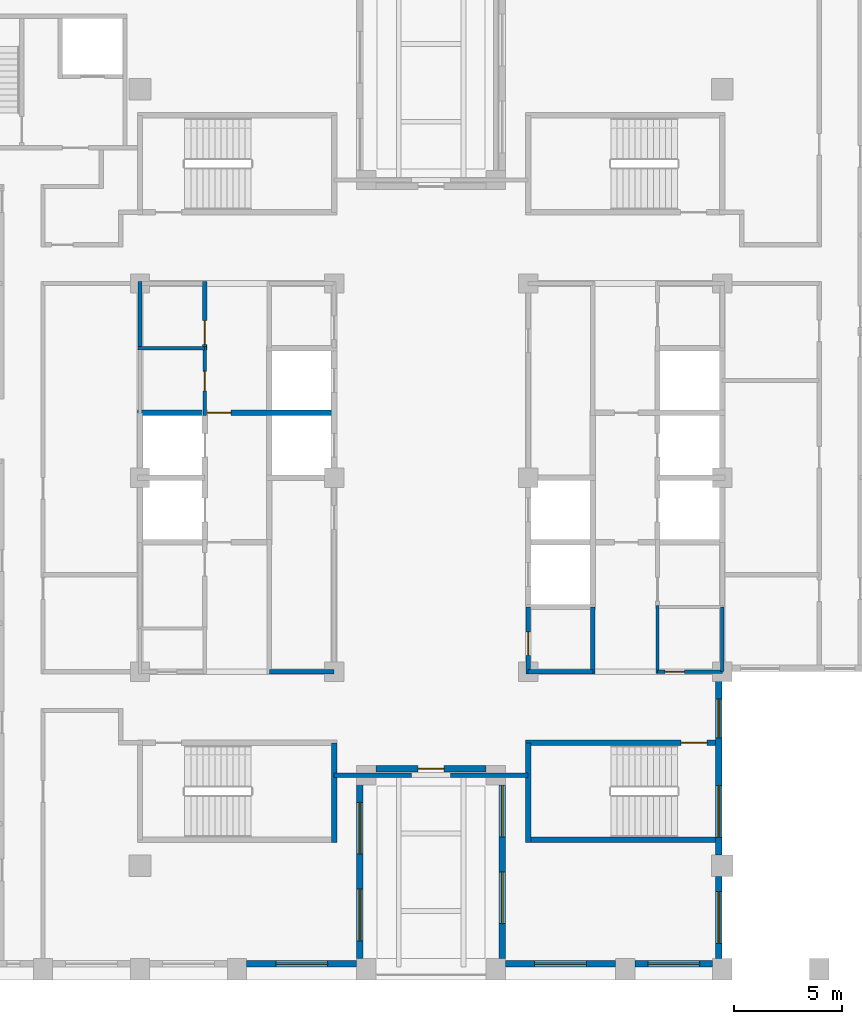
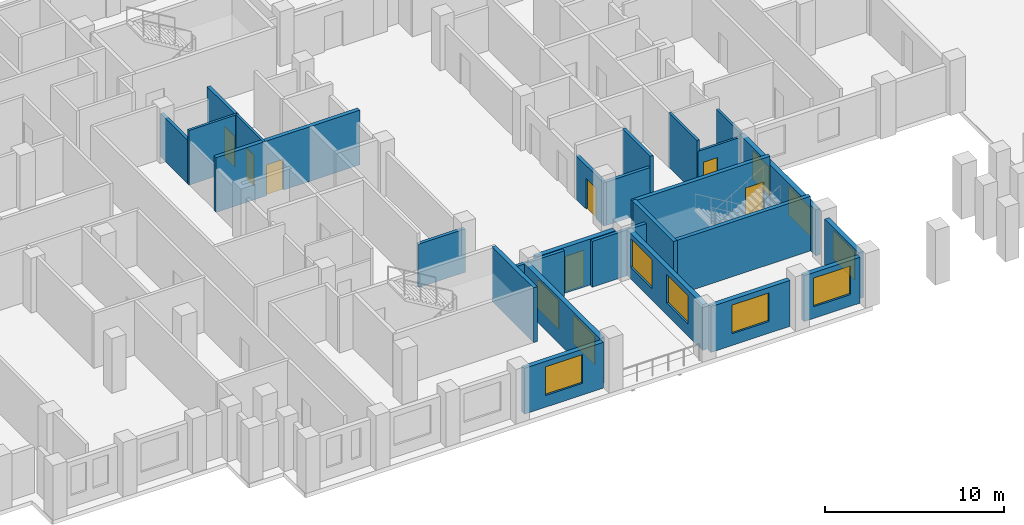
# One storey, part 4 of 12: 26 walls, 10 windows, 7 doors, 17 openings.
"""IFC4 building model written with IfcOpenShell, lengths in metres."""

from ifc_helpers import new_model, si_unit, direction, frame, frame_2d, origin, place, context, subcontext, project, spatial, rectangle, extrude, material, layer, layer_set, type_object, element, fill, save


model = new_model("IFC4")

# Units and contexts
model_context = context("Model", 3, precision=1e-05, world=origin(), true_north=direction((0.0, 1.0)))
body_context = subcontext(model_context, "Body", "Model", "MODEL_VIEW")
ifc_project = project(units=[si_unit("LENGTHUNIT", "METRE"), si_unit("AREAUNIT", "SQUARE_METRE"), si_unit("VOLUMEUNIT", "CUBIC_METRE"), si_unit("PLANEANGLEUNIT", "RADIAN"), si_unit("MASSUNIT", "GRAM", prefix="KILO")], contexts=[model_context])

# Site, building, storey
site_placement = place(None, origin())
site = spatial("IfcSite", under=ifc_project, at=site_placement, CompositionType="ELEMENT")
building_placement = place(site_placement, origin())
building = spatial("IfcBuilding", under=site, at=building_placement, Name="Corbelhall Arena Tower", CompositionType="ELEMENT")
storey_placement = place(building_placement, frame((0.0, 0.0, 184.0)))
storey = spatial("IfcBuildingStorey", under=building, at=storey_placement, Name="L37", CompositionType="ELEMENT", Elevation=184.0)

# Wall, opening, window
ifc_material_1 = material(Name="Precast concrete C40/50 with granite facing", Category="masonry")
ifc_layer_1 = layer(ifc_material_1, 0.300048828125)
ifc_layer_set_1 = layer_set([ifc_layer_1], Name="EV-IW1 Infill panel 300")
wall_type_1 = type_object("IfcWallType", Name="EV-IW1 Infill panel 300", PredefinedType="SOLIDWALL", material=ifc_layer_set_1)
wall_1_placement = place(storey_placement, frame((-8.550048828125, -22.550048828125, 0.0), z_axis=(0.0, 0.0, 1.0), x_axis=(1.0, 0.0, 0.0)))
wall_1 = element("IfcWall", 1, at=wall_1_placement, inside=storey, type_object=wall_type_1, Name="Infill panel IW1", PredefinedType="SOLIDWALL", context=body_context, shape_type="SweptSolid", body=[
    extrude(rectangle(XDim=5.10009765625, YDim=0.300048828125, at=frame_2d((2.550048828125, 0.0))), origin(), (0.0, 0.0, 1.0), 3.1201171875),
])
opening_1_placement = place(wall_1_placement, frame((1.35009765625, 0.0, 0.800048828125)))
opening_1 = element("IfcOpeningElement", 2, at=opening_1_placement, cuts=wall_1, Name="Opening WN1", PredefinedType="OPENING", context=body_context, shape_type="SweptSolid", body=[
    extrude(rectangle(XDim=2.39990234375, YDim=1.949951171875, at=frame_2d((1.199951171875, 0.97509765625))), frame((0.0, 0.14990234375, 0.0), z_axis=(0.0, -1.0, 0.0), x_axis=(1.0, 0.0, 0.0)), (0.0, 0.0, 1.0), 0.300048828125),
])
ifc_material_2 = material(Name="Aluminium black anodised", Category="aluminium")
window_type_1 = type_object("IfcWindowType", Name="EV-WN1 Office window", PartitioningType="SINGLE_PANEL", PredefinedType="WINDOW", material=ifc_material_2)
window_1_placement = place(opening_1_placement, origin())
window_1 = element("IfcWindow", 3, at=window_1_placement, inside=storey, type_object=window_type_1, Name="Window WN1", OverallHeight=1.949951171875, OverallWidth=2.39990234375, PartitioningType="SINGLE_PANEL", PredefinedType="WINDOW", context=body_context, shape_type="SweptSolid", body=[
    extrude(rectangle(XDim=2.39990234375, YDim=1.949951171875, at=frame_2d((1.199951171875, 0.97509765625))), frame((0.0, 0.030029296875, 0.0), z_axis=(0.0, -1.0, 0.0), x_axis=(1.0, 0.0, 0.0)), (0.0, 0.0, 1.0), 0.06005859375),
])
fill(opening_1, window_1)

# Wall, openings, windows
wall_2_placement = place(storey_placement, frame((-3.300048828125, -22.300048828125, 0.0), z_axis=(0.0, 0.0, 1.0), x_axis=(0.0, 1.0, 0.0)))
wall_2 = element("IfcWall", 4, at=wall_2_placement, inside=storey, type_object=wall_type_1, Name="Infill panel IW1", PredefinedType="SOLIDWALL", context=body_context, shape_type="SweptSolid", body=[
    extrude(rectangle(XDim=8.449951171875, YDim=0.300048828125, at=frame_2d((4.22509765625, 0.0))), origin(), (0.0, 0.0, 1.0), 3.1201171875),
])
opening_2_placement = place(wall_2_placement, frame((0.8125, 0.0, 0.800048828125)))
opening_2 = element("IfcOpeningElement", 5, at=opening_2_placement, cuts=wall_2, Name="Opening WN1", PredefinedType="OPENING", context=body_context, shape_type="SweptSolid", body=[
    extrude(rectangle(XDim=2.39990234375, YDim=1.949951171875, at=frame_2d((1.199951171875, 0.97509765625))), frame((0.0, 0.14990234375, 0.0), z_axis=(0.0, -1.0, 0.0), x_axis=(1.0, 0.0, 0.0)), (0.0, 0.0, 1.0), 0.300048828125),
])
opening_3_placement = place(wall_2_placement, frame((4.83740234375, 0.0, 0.800048828125)))
opening_3 = element("IfcOpeningElement", 6, at=opening_3_placement, cuts=wall_2, Name="Opening WN1", PredefinedType="OPENING", context=body_context, shape_type="SweptSolid", body=[
    extrude(rectangle(XDim=2.39990234375, YDim=1.949951171875, at=frame_2d((1.199951171875, 0.97509765625))), frame((0.0, 0.14990234375, 0.0), z_axis=(0.0, -1.0, 0.0), x_axis=(1.0, 0.0, 0.0)), (0.0, 0.0, 1.0), 0.300048828125),
])
window_2_placement = place(opening_2_placement, origin())
window_2 = element("IfcWindow", 7, at=window_2_placement, inside=storey, type_object=window_type_1, Name="Window WN1", OverallHeight=1.949951171875, OverallWidth=2.39990234375, PartitioningType="SINGLE_PANEL", PredefinedType="WINDOW", context=body_context, shape_type="SweptSolid", body=[
    extrude(rectangle(XDim=2.39990234375, YDim=1.949951171875, at=frame_2d((1.199951171875, 0.97509765625))), frame((0.0, 0.030029296875, 0.0), z_axis=(0.0, -1.0, 0.0), x_axis=(1.0, 0.0, 0.0)), (0.0, 0.0, 1.0), 0.06005859375),
])
fill(opening_2, window_2)
window_3_placement = place(opening_3_placement, origin())
window_3 = element("IfcWindow", 8, at=window_3_placement, inside=storey, type_object=window_type_1, Name="Window WN1", OverallHeight=1.949951171875, OverallWidth=2.39990234375, PartitioningType="SINGLE_PANEL", PredefinedType="WINDOW", context=body_context, shape_type="SweptSolid", body=[
    extrude(rectangle(XDim=2.39990234375, YDim=1.949951171875, at=frame_2d((1.199951171875, 0.97509765625))), frame((0.0, 0.030029296875, 0.0), z_axis=(0.0, -1.0, 0.0), x_axis=(1.0, 0.0, 0.0)), (0.0, 0.0, 1.0), 0.06005859375),
])
fill(opening_3, window_3)

# Wall, opening, door
wall_3_placement = place(storey_placement, frame((2.550048828125, -13.5, 0.0), z_axis=(0.0, 0.0, 1.0), x_axis=(-1.0, 0.0, 0.0)))
wall_3 = element("IfcWall", 9, at=wall_3_placement, inside=storey, type_object=wall_type_1, Name="Infill panel IW1", PredefinedType="SOLIDWALL", context=body_context, shape_type="SweptSolid", body=[
    extrude(rectangle(XDim=5.10009765625, YDim=0.300048828125, at=frame_2d((2.550048828125, 0.0))), origin(), (0.0, 0.0, 1.0), 3.1201171875),
])
opening_4_placement = place(wall_3_placement, frame((1.949951171875, 0.0, 0.0)))
opening_4 = element("IfcOpeningElement", 10, at=opening_4_placement, cuts=wall_3, Name="Opening ED1", PredefinedType="OPENING", context=body_context, shape_type="SweptSolid", body=[
    extrude(rectangle(XDim=1.199951171875, YDim=2.39990234375, at=frame_2d((0.60009765625, 1.199951171875))), frame((0.0, 0.14990234375, 0.0), z_axis=(0.0, -1.0, 0.0), x_axis=(1.0, 0.0, 0.0)), (0.0, 0.0, 1.0), 0.300048828125),
])
door_type_1 = type_object("IfcDoorType", Name="EV-ED1 Terrace door", OperationType="SINGLE_SWING_LEFT", PredefinedType="DOOR", material=ifc_material_2)
door_1_placement = place(opening_4_placement, origin())
door_1 = element("IfcDoor", 11, at=door_1_placement, inside=storey, type_object=door_type_1, Name="Terrace door", OperationType="SINGLE_SWING_LEFT", OverallHeight=2.39990234375, OverallWidth=1.199951171875, PredefinedType="DOOR", context=body_context, shape_type="SweptSolid", body=[
    extrude(rectangle(XDim=1.199951171875, YDim=2.39990234375, at=frame_2d((0.60009765625, 1.199951171875))), frame((0.0, 0.02490234375, 0.0), z_axis=(0.0, -1.0, 0.0), x_axis=(1.0, 0.0, 0.0)), (0.0, 0.0, 1.0), 0.050048828125),
])
fill(opening_4, door_1)

# Wall, openings, windows
wall_4_placement = place(storey_placement, frame((3.300048828125, -13.85009765625, 0.0), z_axis=(0.0, 0.0, 1.0), x_axis=(0.0, -1.0, 0.0)))
wall_4 = element("IfcWall", 12, at=wall_4_placement, inside=storey, type_object=wall_type_1, Name="Infill panel IW1", PredefinedType="SOLIDWALL", context=body_context, shape_type="SweptSolid", body=[
    extrude(rectangle(XDim=8.449951171875, YDim=0.300048828125, at=frame_2d((4.22509765625, 0.0))), origin(), (0.0, 0.0, 1.0), 3.1201171875),
])
opening_5_placement = place(wall_4_placement, frame((0.41259765625, 0.0, 0.800048828125)))
opening_5 = element("IfcOpeningElement", 13, at=opening_5_placement, cuts=wall_4, Name="Opening WN1", PredefinedType="OPENING", context=body_context, shape_type="SweptSolid", body=[
    extrude(rectangle(XDim=2.39990234375, YDim=1.949951171875, at=frame_2d((1.199951171875, 0.97509765625))), frame((0.0, 0.14990234375, 0.0), z_axis=(0.0, -1.0, 0.0), x_axis=(1.0, 0.0, 0.0)), (0.0, 0.0, 1.0), 0.300048828125),
])
opening_6_placement = place(wall_4_placement, frame((4.4375, 0.0, 0.800048828125)))
opening_6 = element("IfcOpeningElement", 14, at=opening_6_placement, cuts=wall_4, Name="Opening WN1", PredefinedType="OPENING", context=body_context, shape_type="SweptSolid", body=[
    extrude(rectangle(XDim=2.39990234375, YDim=1.949951171875, at=frame_2d((1.199951171875, 0.97509765625))), frame((0.0, 0.14990234375, 0.0), z_axis=(0.0, -1.0, 0.0), x_axis=(1.0, 0.0, 0.0)), (0.0, 0.0, 1.0), 0.300048828125),
])
window_4_placement = place(opening_5_placement, origin())
window_4 = element("IfcWindow", 15, at=window_4_placement, inside=storey, type_object=window_type_1, Name="Window WN1", OverallHeight=1.949951171875, OverallWidth=2.39990234375, PartitioningType="SINGLE_PANEL", PredefinedType="WINDOW", context=body_context, shape_type="SweptSolid", body=[
    extrude(rectangle(XDim=2.39990234375, YDim=1.949951171875, at=frame_2d((1.199951171875, 0.97509765625))), frame((0.0, 0.030029296875, 0.0), z_axis=(0.0, -1.0, 0.0), x_axis=(1.0, 0.0, 0.0)), (0.0, 0.0, 1.0), 0.06005859375),
])
fill(opening_5, window_4)
window_5_placement = place(opening_6_placement, origin())
window_5 = element("IfcWindow", 16, at=window_5_placement, inside=storey, type_object=window_type_1, Name="Window WN1", OverallHeight=1.949951171875, OverallWidth=2.39990234375, PartitioningType="SINGLE_PANEL", PredefinedType="WINDOW", context=body_context, shape_type="SweptSolid", body=[
    extrude(rectangle(XDim=2.39990234375, YDim=1.949951171875, at=frame_2d((1.199951171875, 0.97509765625))), frame((0.0, 0.030029296875, 0.0), z_axis=(0.0, -1.0, 0.0), x_axis=(1.0, 0.0, 0.0)), (0.0, 0.0, 1.0), 0.06005859375),
])
fill(opening_6, window_5)

# Wall, opening, window
wall_5_placement = place(storey_placement, frame((3.449951171875, -22.550048828125, 0.0), z_axis=(0.0, 0.0, 1.0), x_axis=(1.0, 0.0, 0.0)))
wall_5 = element("IfcWall", 17, at=wall_5_placement, inside=storey, type_object=wall_type_1, Name="Infill panel IW1", PredefinedType="SOLIDWALL", context=body_context, shape_type="SweptSolid", body=[
    extrude(rectangle(XDim=5.10009765625, YDim=0.300048828125, at=frame_2d((2.550048828125, 0.0))), origin(), (0.0, 0.0, 1.0), 3.1201171875),
])
opening_7_placement = place(wall_5_placement, frame((1.35009765625, 0.0, 0.800048828125)))
opening_7 = element("IfcOpeningElement", 18, at=opening_7_placement, cuts=wall_5, Name="Opening WN1", PredefinedType="OPENING", context=body_context, shape_type="SweptSolid", body=[
    extrude(rectangle(XDim=2.39990234375, YDim=1.949951171875, at=frame_2d((1.199951171875, 0.97509765625))), frame((0.0, 0.14990234375, 0.0), z_axis=(0.0, -1.0, 0.0), x_axis=(1.0, 0.0, 0.0)), (0.0, 0.0, 1.0), 0.300048828125),
])
window_6_placement = place(opening_7_placement, origin())
window_6 = element("IfcWindow", 19, at=window_6_placement, inside=storey, type_object=window_type_1, Name="Window WN1", OverallHeight=1.949951171875, OverallWidth=2.39990234375, PartitioningType="SINGLE_PANEL", PredefinedType="WINDOW", context=body_context, shape_type="SweptSolid", body=[
    extrude(rectangle(XDim=2.39990234375, YDim=1.949951171875, at=frame_2d((1.199951171875, 0.97509765625))), frame((0.0, 0.030029296875, 0.0), z_axis=(0.0, -1.0, 0.0), x_axis=(1.0, 0.0, 0.0)), (0.0, 0.0, 1.0), 0.06005859375),
])
fill(opening_7, window_6)

wall_6_placement = place(storey_placement, frame((9.449951171875, -22.550048828125, 0.0), z_axis=(0.0, 0.0, 1.0), x_axis=(1.0, 0.0, 0.0)))
wall_6 = element("IfcWall", 20, at=wall_6_placement, inside=storey, type_object=wall_type_1, Name="Infill panel IW1", PredefinedType="SOLIDWALL", context=body_context, shape_type="SweptSolid", body=[
    extrude(rectangle(XDim=3.60009765625, YDim=0.300048828125, at=frame_2d((1.800048828125, 0.0))), origin(), (0.0, 0.0, 1.0), 3.1201171875),
])
opening_8_placement = place(wall_6_placement, frame((0.60009765625, 0.0, 0.800048828125)))
opening_8 = element("IfcOpeningElement", 21, at=opening_8_placement, cuts=wall_6, Name="Opening WN1", PredefinedType="OPENING", context=body_context, shape_type="SweptSolid", body=[
    extrude(rectangle(XDim=2.39990234375, YDim=1.949951171875, at=frame_2d((1.199951171875, 0.97509765625))), frame((0.0, 0.14990234375, 0.0), z_axis=(0.0, -1.0, 0.0), x_axis=(1.0, 0.0, 0.0)), (0.0, 0.0, 1.0), 0.300048828125),
])
window_7_placement = place(opening_8_placement, origin())
window_7 = element("IfcWindow", 22, at=window_7_placement, inside=storey, type_object=window_type_1, Name="Window WN1", OverallHeight=1.949951171875, OverallWidth=2.39990234375, PartitioningType="SINGLE_PANEL", PredefinedType="WINDOW", context=body_context, shape_type="SweptSolid", body=[
    extrude(rectangle(XDim=2.39990234375, YDim=1.949951171875, at=frame_2d((1.199951171875, 0.97509765625))), frame((0.0, 0.030029296875, 0.0), z_axis=(0.0, -1.0, 0.0), x_axis=(1.0, 0.0, 0.0)), (0.0, 0.0, 1.0), 0.06005859375),
])
fill(opening_8, window_7)

wall_7_placement = place(storey_placement, frame((13.35009765625, -22.300048828125, 0.0), z_axis=(0.0, 0.0, 1.0), x_axis=(0.0, 1.0, 0.0)))
wall_7 = element("IfcWall", 23, at=wall_7_placement, inside=storey, type_object=wall_type_1, Name="Infill panel IW1", PredefinedType="SOLIDWALL", context=body_context, shape_type="SweptSolid", body=[
    extrude(rectangle(XDim=3.800048828125, YDim=0.300048828125, at=frame_2d((1.89990234375, 0.0))), origin(), (0.0, 0.0, 1.0), 3.1201171875),
])
opening_9_placement = place(wall_7_placement, frame((0.699951171875, 0.0, 0.800048828125)))
opening_9 = element("IfcOpeningElement", 24, at=opening_9_placement, cuts=wall_7, Name="Opening WN1", PredefinedType="OPENING", context=body_context, shape_type="SweptSolid", body=[
    extrude(rectangle(XDim=2.39990234375, YDim=1.949951171875, at=frame_2d((1.199951171875, 0.97509765625))), frame((0.0, 0.14990234375, 0.0), z_axis=(0.0, -1.0, 0.0), x_axis=(1.0, 0.0, 0.0)), (0.0, 0.0, 1.0), 0.300048828125),
])
window_8_placement = place(opening_9_placement, origin())
window_8 = element("IfcWindow", 25, at=window_8_placement, inside=storey, type_object=window_type_1, Name="Window WN1", OverallHeight=1.949951171875, OverallWidth=2.39990234375, PartitioningType="SINGLE_PANEL", PredefinedType="WINDOW", context=body_context, shape_type="SweptSolid", body=[
    extrude(rectangle(XDim=2.39990234375, YDim=1.949951171875, at=frame_2d((1.199951171875, 0.97509765625))), frame((0.0, 0.030029296875, 0.0), z_axis=(0.0, -1.0, 0.0), x_axis=(1.0, 0.0, 0.0)), (0.0, 0.0, 1.0), 0.06005859375),
])
fill(opening_9, window_8)

# Wall, openings, windows
wall_8_placement = place(storey_placement, frame((13.35009765625, -17.5, 0.0), z_axis=(0.0, 0.0, 1.0), x_axis=(0.0, 1.0, 0.0)))
wall_8 = element("IfcWall", 26, at=wall_8_placement, inside=storey, type_object=wall_type_1, Name="Infill panel IW1", PredefinedType="SOLIDWALL", context=body_context, shape_type="SweptSolid", body=[
    extrude(rectangle(XDim=8.47509765625, YDim=0.300048828125, at=frame_2d((4.237548828125, 0.0))), origin(), (0.0, 0.0, 1.0), 3.1201171875),
])
opening_10_placement = place(wall_8_placement, frame((0.8125, 0.0, 0.800048828125)))
opening_10 = element("IfcOpeningElement", 27, at=opening_10_placement, cuts=wall_8, Name="Opening WN1", PredefinedType="OPENING", context=body_context, shape_type="SweptSolid", body=[
    extrude(rectangle(XDim=2.39990234375, YDim=1.949951171875, at=frame_2d((1.199951171875, 0.97509765625))), frame((0.0, 0.14990234375, 0.0), z_axis=(0.0, -1.0, 0.0), x_axis=(1.0, 0.0, 0.0)), (0.0, 0.0, 1.0), 0.300048828125),
])
opening_11_placement = place(wall_8_placement, frame((5.43115234375, 0.0, 0.800048828125)))
opening_11 = element("IfcOpeningElement", 28, at=opening_11_placement, cuts=wall_8, Name="Opening WN8", PredefinedType="OPENING", context=body_context, shape_type="SweptSolid", body=[
    extrude(rectangle(XDim=1.800048828125, YDim=1.949951171875, at=frame_2d((0.89990234375, 0.97509765625))), frame((0.0, 0.14990234375, 0.0), z_axis=(0.0, -1.0, 0.0), x_axis=(1.0, 0.0, 0.0)), (0.0, 0.0, 1.0), 0.300048828125),
])
window_9_placement = place(opening_10_placement, origin())
window_9 = element("IfcWindow", 29, at=window_9_placement, inside=storey, type_object=window_type_1, Name="Window WN1", OverallHeight=1.949951171875, OverallWidth=2.39990234375, PartitioningType="SINGLE_PANEL", PredefinedType="WINDOW", context=body_context, shape_type="SweptSolid", body=[
    extrude(rectangle(XDim=2.39990234375, YDim=1.949951171875, at=frame_2d((1.199951171875, 0.97509765625))), frame((0.0, 0.030029296875, 0.0), z_axis=(0.0, -1.0, 0.0), x_axis=(1.0, 0.0, 0.0)), (0.0, 0.0, 1.0), 0.06005859375),
])
fill(opening_10, window_9)
window_type_2 = type_object("IfcWindowType", Name="EV-WN8 Office window 1800", PartitioningType="SINGLE_PANEL", PredefinedType="WINDOW", material=ifc_material_2)
window_10_placement = place(opening_11_placement, origin())
window_10 = element("IfcWindow", 30, at=window_10_placement, inside=storey, type_object=window_type_2, Name="Window WN8", OverallHeight=1.949951171875, OverallWidth=1.800048828125, PartitioningType="SINGLE_PANEL", PredefinedType="WINDOW", context=body_context, shape_type="SweptSolid", body=[
    extrude(rectangle(XDim=1.800048828125, YDim=1.949951171875, at=frame_2d((0.89990234375, 0.97509765625))), frame((0.0, 0.030029296875, 0.0), z_axis=(0.0, -1.0, 0.0), x_axis=(1.0, 0.0, 0.0)), (0.0, 0.0, 1.0), 0.06005859375),
])
fill(opening_11, window_10)

# Walls
ifc_material_3 = material(Name="Gypsum board on steel stud, acoustic", Category="steel")
ifc_layer_2 = layer(ifc_material_3, 0.199951171875)
ifc_layer_set_2 = layer_set([ifc_layer_2], Name="IN-W-DM200 under beam 607 mm")
wall_type_2 = type_object("IfcWallType", Name="IN-W-DM200 under beam 607 mm", PredefinedType="PARTITIONING", material=ifc_layer_set_2)
for number, where, z_axis, x_axis, name in (
    (31, (-0.89990234375, -13.800048828125, 0.0), (0.0, 0.0, 1.0), (-1.0, 0.0, 0.0), "Partition 034"),
    (32, (4.5, -13.800048828125, 0.0), (0.0, 0.0, 1.0), (-1.0, 0.0, 0.0), "Partition 036"),
):
    element("IfcWall", number, at=place(storey_placement, frame(where, z_axis=z_axis, x_axis=x_axis)), inside=storey, type_object=wall_type_2, Name=name, PredefinedType="PARTITIONING", context=body_context, shape_type="SweptSolid", body=[
        extrude(rectangle(XDim=3.60009765625, YDim=0.199951171875, at=frame_2d((1.800048828125, 0.0))), origin(), (0.0, 0.0, 1.0), 3.11279296875),
    ])

# Wall, opening, door
ifc_material_4 = material(Name="Concrete block wall", Category="concrete")
ifc_layer_3 = layer(ifc_material_4, 0.199951171875)
ifc_layer_set_3 = layer_set([ifc_layer_3], Name="IN-W-RS200")
wall_type_3 = type_object("IfcWallType", Name="IN-W-RS200", PredefinedType="SOLIDWALL", material=ifc_layer_set_3)
wall_9_placement = place(storey_placement, frame((-10.5, 5.925048828125, 0.0), z_axis=(0.0, 0.0, 1.0), x_axis=(0.0, 1.0, 0.0)))
wall_9 = element("IfcWall", 33, at=wall_9_placement, inside=storey, type_object=wall_type_3, Name="Partition 054", PredefinedType="SOLIDWALL", context=body_context, shape_type="SweptSolid", body=[
    extrude(rectangle(XDim=3.175048828125, YDim=0.199951171875, at=frame_2d((1.58740234375, 0.0))), origin(), (0.0, 0.0, 1.0), 3.719970703125),
])
opening_12_placement = place(wall_9_placement, frame((0.25, 0.0, 0.0)))
opening_12 = element("IfcOpeningElement", 34, at=opening_12_placement, cuts=wall_9, Name="Opening 11008", PredefinedType="OPENING", context=body_context, shape_type="SweptSolid", body=[
    extrude(rectangle(XDim=1.10009765625, YDim=2.10009765625, at=frame_2d((0.550048828125, 1.050048828125))), frame((0.0, 0.10009765625, 0.0), z_axis=(0.0, -1.0, 0.0), x_axis=(1.0, 0.0, 0.0)), (0.0, 0.0, 1.0), 0.199951171875),
])
ifc_material_5 = material(Name="Steel door set", Category="steel")
door_type_2 = type_object("IfcDoorType", Name="IN-D-FD110", OperationType="NOTDEFINED", PredefinedType="DOOR", material=ifc_material_5)
door_2_placement = place(opening_12_placement, origin())
door_2 = element("IfcDoor", 35, at=door_2_placement, inside=storey, type_object=door_type_2, Name="Door 008", OperationType="SINGLE_SWING_LEFT", OverallHeight=2.10009765625, OverallWidth=1.10009765625, PredefinedType="DOOR", context=body_context, shape_type="SweptSolid", body=[
    extrude(rectangle(XDim=1.10009765625, YDim=2.10009765625, at=frame_2d((0.550048828125, 1.050048828125))), frame((0.0, 0.02490234375, 0.0), z_axis=(0.0, -1.0, 0.0), x_axis=(1.0, 0.0, 0.0)), (0.0, 0.0, 1.0), 0.050048828125),
])
fill(opening_12, door_2)

# Walls
wall_10_placement = place(storey_placement, frame((7.5, -6.0, 0.0), z_axis=(0.0, 0.0, 1.0), x_axis=(0.0, -1.0, 0.0)))
element("IfcWall", 36, at=wall_10_placement, inside=storey, type_object=wall_type_3, Name="Partition 065", PredefinedType="SOLIDWALL", context=body_context, shape_type="SweptSolid", body=[
    extrude(rectangle(XDim=3.10009765625, YDim=0.199951171875, at=frame_2d((1.550048828125, 0.0))), origin(), (0.0, 0.0, 1.0), 3.719970703125),
])
ifc_layer_4 = layer(ifc_material_4, 0.199951171875)
ifc_layer_set_4 = layer_set([ifc_layer_4], Name="IN-W-RS200 under beam 762 mm")
wall_type_4 = type_object("IfcWallType", Name="IN-W-RS200 under beam 762 mm", PredefinedType="SOLIDWALL", material=ifc_layer_set_4)
wall_11_placement = place(storey_placement, frame((-13.5, 6.0, 0.0), z_axis=(0.0, 0.0, 1.0), x_axis=(0.0, 1.0, 0.0)))
element("IfcWall", 37, at=wall_11_placement, inside=storey, type_object=wall_type_4, Name="Partition 052", PredefinedType="SOLIDWALL", context=body_context, shape_type="SweptSolid", body=[
    extrude(rectangle(XDim=3.10009765625, YDim=0.199951171875, at=frame_2d((1.550048828125, 0.0))), origin(), (0.0, 0.0, 1.0), 2.9580078125),
])
wall_12_placement = place(storey_placement, frame((-4.5, -9.0, 0.0), z_axis=(0.0, 0.0, 1.0), x_axis=(-1.0, 0.0, 0.0)))
element("IfcWall", 38, at=wall_12_placement, inside=storey, type_object=wall_type_4, Name="Partition 058", PredefinedType="SOLIDWALL", context=body_context, shape_type="SweptSolid", body=[
    extrude(rectangle(XDim=3.0, YDim=0.199951171875, at=frame_2d((1.5, 0.0))), origin(), (0.0, 0.0, 1.0), 2.9580078125),
])

# Wall, opening, door
wall_13_placement = place(storey_placement, frame((4.5, -9.10009765625, 0.0), z_axis=(0.0, 0.0, 1.0), x_axis=(0.0, 1.0, 0.0)))
wall_13 = element("IfcWall", 39, at=wall_13_placement, inside=storey, type_object=wall_type_4, Name="Partition 061", PredefinedType="SOLIDWALL", context=body_context, shape_type="SweptSolid", body=[
    extrude(rectangle(XDim=3.10009765625, YDim=0.199951171875, at=frame_2d((1.550048828125, 0.0))), origin(), (0.0, 0.0, 1.0), 2.9580078125),
])
opening_13_placement = place(wall_13_placement, frame((0.85009765625, 0.0, 0.0)))
opening_13 = element("IfcOpeningElement", 40, at=opening_13_placement, cuts=wall_13, Name="Opening 11009", PredefinedType="OPENING", context=body_context, shape_type="SweptSolid", body=[
    extrude(rectangle(XDim=1.10009765625, YDim=2.10009765625, at=frame_2d((0.550048828125, 1.050048828125))), frame((0.0, 0.10009765625, 0.0), z_axis=(0.0, -1.0, 0.0), x_axis=(1.0, 0.0, 0.0)), (0.0, 0.0, 1.0), 0.199951171875),
])
door_3_placement = place(opening_13_placement, origin())
door_3 = element("IfcDoor", 41, at=door_3_placement, inside=storey, type_object=door_type_2, Name="Door 009", OperationType="SINGLE_SWING_RIGHT", OverallHeight=2.10009765625, OverallWidth=1.10009765625, PredefinedType="DOOR", context=body_context, shape_type="SweptSolid", body=[
    extrude(rectangle(XDim=1.10009765625, YDim=2.10009765625, at=frame_2d((0.550048828125, 1.050048828125))), frame((0.0, 0.02490234375, 0.0), z_axis=(0.0, -1.0, 0.0), x_axis=(1.0, 0.0, 0.0)), (0.0, 0.0, 1.0), 0.050048828125),
])
fill(opening_13, door_3)

# Wall
wall_14_placement = place(storey_placement, frame((7.5, -9.0, 0.0), z_axis=(0.0, 0.0, 1.0), x_axis=(-1.0, 0.0, 0.0)))
element("IfcWall", 42, at=wall_14_placement, inside=storey, type_object=wall_type_4, Name="Partition 064", PredefinedType="SOLIDWALL", context=body_context, shape_type="SweptSolid", body=[
    extrude(rectangle(XDim=3.0, YDim=0.199951171875, at=frame_2d((1.5, 0.0))), origin(), (0.0, 0.0, 1.0), 2.9580078125),
])

# Wall, opening, door
ifc_material_6 = material(Name="Concrete C40/50", Category="concrete")
ifc_layer_5 = layer(ifc_material_6, 0.25)
ifc_layer_set_5 = layer_set([ifc_layer_5], Name="IN-W-SH250")
wall_type_5 = type_object("IfcWallType", Name="IN-W-SH250", PredefinedType="SOLIDWALL", material=ifc_layer_set_5)
wall_15_placement = place(storey_placement, frame((-13.625, 3.0, 0.0), z_axis=(0.0, 0.0, 1.0), x_axis=(1.0, 0.0, 0.0)))
wall_15 = element("IfcWall", 43, at=wall_15_placement, inside=storey, type_object=wall_type_5, Name="Shaft wall 073", PredefinedType="SOLIDWALL", context=body_context, shape_type="SweptSolid", body=[
    extrude(rectangle(XDim=9.25, YDim=0.25, at=frame_2d((4.625, 0.0))), origin(), (0.0, 0.0, 1.0), 3.719970703125),
])
opening_14_placement = place(wall_15_placement, frame((3.25, 0.0, 0.0)))
opening_14 = element("IfcOpeningElement", 44, at=opening_14_placement, cuts=wall_15, Name="Opening 11004", PredefinedType="OPENING", context=body_context, shape_type="SweptSolid", body=[
    extrude(rectangle(XDim=1.10009765625, YDim=2.10009765625, at=frame_2d((0.550048828125, 1.050048828125))), frame((0.0, 0.125, 0.0), z_axis=(0.0, -1.0, 0.0), x_axis=(1.0, 0.0, 0.0)), (0.0, 0.0, 1.0), 0.25),
])
door_4_placement = place(opening_14_placement, origin())
door_4 = element("IfcDoor", 45, at=door_4_placement, inside=storey, type_object=door_type_2, Name="Door 004", OperationType="SINGLE_SWING_LEFT", OverallHeight=2.10009765625, OverallWidth=1.10009765625, PredefinedType="DOOR", context=body_context, shape_type="SweptSolid", body=[
    extrude(rectangle(XDim=1.10009765625, YDim=2.10009765625, at=frame_2d((0.550048828125, 1.050048828125))), frame((0.0, 0.02490234375, 0.0), z_axis=(0.0, -1.0, 0.0), x_axis=(1.0, 0.0, 0.0)), (0.0, 0.0, 1.0), 0.050048828125),
])
fill(opening_14, door_4)

# Walls
ifc_layer_6 = layer(ifc_material_6, 0.25)
ifc_layer_set_6 = layer_set([ifc_layer_6], Name="IN-W-ST250")
wall_type_6 = type_object("IfcWallType", Name="IN-W-ST250", PredefinedType="SOLIDWALL", material=ifc_layer_set_6)
for number, where, z_axis, x_axis, name in (
    (46, (-4.5, -12.300048828125, 0.0), (0.0, 0.0, 1.0), (0.0, -1.0, 0.0), "Shaft wall 102"),
    (47, (4.5, -16.925048828125, 0.0), (0.0, 0.0, 1.0), (0.0, 1.0, 0.0), "Shaft wall 107"),
):
    element("IfcWall", number, at=place(storey_placement, frame(where, z_axis=z_axis, x_axis=x_axis)), inside=storey, type_object=wall_type_6, Name=name, PredefinedType="SOLIDWALL", context=body_context, shape_type="SweptSolid", body=[
        extrude(rectangle(XDim=4.625, YDim=0.25, at=frame_2d((2.3125, 0.0))), origin(), (0.0, 0.0, 1.0), 3.719970703125),
    ])
wall_16_placement = place(storey_placement, frame((13.199951171875, -16.800048828125, 0.0), z_axis=(0.0, 0.0, 1.0), x_axis=(-1.0, 0.0, 0.0)))
element("IfcWall", 48, at=wall_16_placement, inside=storey, type_object=wall_type_6, Name="Shaft wall 109", PredefinedType="SOLIDWALL", context=body_context, shape_type="SweptSolid", body=[
    extrude(rectangle(XDim=8.699951171875, YDim=0.25, at=frame_2d((4.35009765625, 0.0))), origin(), (0.0, 0.0, 1.0), 3.719970703125),
])

# Wall, opening, door
wall_17_placement = place(storey_placement, frame((13.199951171875, -12.300048828125, 0.0), z_axis=(0.0, 0.0, 1.0), x_axis=(-1.0, 0.0, 0.0)))
wall_17 = element("IfcWall", 49, at=wall_17_placement, inside=storey, type_object=wall_type_6, Name="Shaft wall 110", PredefinedType="SOLIDWALL", context=body_context, shape_type="SweptSolid", body=[
    extrude(rectangle(XDim=8.824951171875, YDim=0.25, at=frame_2d((4.41259765625, 0.0))), origin(), (0.0, 0.0, 1.0), 3.719970703125),
])
opening_15_placement = place(wall_17_placement, frame((0.39990234375, 0.0, 0.0)))
opening_15 = element("IfcOpeningElement", 50, at=opening_15_placement, cuts=wall_17, Name="Opening 11019", PredefinedType="OPENING", context=body_context, shape_type="SweptSolid", body=[
    extrude(rectangle(XDim=1.199951171875, YDim=2.10009765625, at=frame_2d((0.60009765625, 1.050048828125))), frame((0.0, 0.125, 0.0), z_axis=(0.0, -1.0, 0.0), x_axis=(1.0, 0.0, 0.0)), (0.0, 0.0, 1.0), 0.25),
])
door_type_3 = type_object("IfcDoorType", Name="IN-D-ST120", OperationType="NOTDEFINED", PredefinedType="DOOR", material=ifc_material_5)
door_5_placement = place(opening_15_placement, origin())
door_5 = element("IfcDoor", 51, at=door_5_placement, inside=storey, type_object=door_type_3, Name="Door 019", OperationType="SINGLE_SWING_RIGHT", OverallHeight=2.10009765625, OverallWidth=1.199951171875, PredefinedType="DOOR", context=body_context, shape_type="SweptSolid", body=[
    extrude(rectangle(XDim=1.199951171875, YDim=2.10009765625, at=frame_2d((0.60009765625, 1.050048828125))), frame((0.0, 0.02490234375, 0.0), z_axis=(0.0, -1.0, 0.0), x_axis=(1.0, 0.0, 0.0)), (0.0, 0.0, 1.0), 0.050048828125),
])
fill(opening_15, door_5)

# Wall
ifc_material_7 = material(Name="Gypsum board on steel stud, moisture resistant", Category="steel")
ifc_layer_7 = layer(ifc_material_7, 0.14990234375)
ifc_layer_set_7 = layer_set([ifc_layer_7], Name="IN-W-WC150")
wall_type_7 = type_object("IfcWallType", Name="IN-W-WC150", PredefinedType="PARTITIONING", material=ifc_layer_set_7)
wall_18_placement = place(storey_placement, frame((-13.60009765625, 6.0, 0.0), z_axis=(0.0, 0.0, 1.0), x_axis=(1.0, 0.0, 0.0)))
element("IfcWall", 52, at=wall_18_placement, inside=storey, type_object=wall_type_7, Name="Partition 113", PredefinedType="PARTITIONING", context=body_context, shape_type="SweptSolid", body=[
    extrude(rectangle(XDim=3.10009765625, YDim=0.14990234375, at=frame_2d((1.550048828125, 0.0))), origin(), (0.0, 0.0, 1.0), 3.719970703125),
])

# Wall, opening, door
wall_19_placement = place(storey_placement, frame((-10.5, 2.875, 0.0), z_axis=(0.0, 0.0, 1.0), x_axis=(0.0, 1.0, 0.0)))
wall_19 = element("IfcWall", 53, at=wall_19_placement, inside=storey, type_object=wall_type_7, Name="Partition 118", PredefinedType="PARTITIONING", context=body_context, shape_type="SweptSolid", body=[
    extrude(rectangle(XDim=3.199951171875, YDim=0.14990234375, at=frame_2d((1.60009765625, 0.0))), origin(), (0.0, 0.0, 1.0), 3.719970703125),
])
opening_16_placement = place(wall_19_placement, frame((1.14990234375, 0.0, 0.0)))
opening_16 = element("IfcOpeningElement", 54, at=opening_16_placement, cuts=wall_19, Name="Opening 11007", PredefinedType="OPENING", context=body_context, shape_type="SweptSolid", body=[
    extrude(rectangle(XDim=0.89990234375, YDim=2.10009765625, at=frame_2d((0.449951171875, 1.050048828125))), frame((0.0, 0.074951171875, 0.0), z_axis=(0.0, -1.0, 0.0), x_axis=(1.0, 0.0, 0.0)), (0.0, 0.0, 1.0), 0.14990234375),
])
ifc_material_8 = material(Name="Timber door set", Category="wood")
door_type_4 = type_object("IfcDoorType", Name="IN-D-SW90", OperationType="NOTDEFINED", PredefinedType="DOOR", material=ifc_material_8)
door_6_placement = place(opening_16_placement, origin())
door_6 = element("IfcDoor", 55, at=door_6_placement, inside=storey, type_object=door_type_4, Name="Door 007", OperationType="SINGLE_SWING_RIGHT", OverallHeight=2.10009765625, OverallWidth=0.89990234375, PredefinedType="DOOR", context=body_context, shape_type="SweptSolid", body=[
    extrude(rectangle(XDim=0.89990234375, YDim=2.10009765625, at=frame_2d((0.449951171875, 1.050048828125))), frame((0.0, 0.02490234375, 0.0), z_axis=(0.0, -1.0, 0.0), x_axis=(1.0, 0.0, 0.0)), (0.0, 0.0, 1.0), 0.050048828125),
])
fill(opening_16, door_6)

# Walls
wall_20_placement = place(storey_placement, frame((10.5, -5.925048828125, 0.0), z_axis=(0.0, 0.0, 1.0), x_axis=(0.0, -1.0, 0.0)))
element("IfcWall", 56, at=wall_20_placement, inside=storey, type_object=wall_type_7, Name="Partition 120", PredefinedType="PARTITIONING", context=body_context, shape_type="SweptSolid", body=[
    extrude(rectangle(XDim=3.14990234375, YDim=0.14990234375, at=frame_2d((1.574951171875, 0.0))), origin(), (0.0, 0.0, 1.0), 3.719970703125),
])
ifc_layer_8 = layer(ifc_material_7, 0.14990234375)
ifc_layer_set_8 = layer_set([ifc_layer_8], Name="IN-W-WC150 under beam 762 mm")
wall_type_8 = type_object("IfcWallType", Name="IN-W-WC150 under beam 762 mm", PredefinedType="PARTITIONING", material=ifc_layer_set_8)
wall_21_placement = place(storey_placement, frame((13.5, -6.0, 0.0), z_axis=(0.0, 0.0, 1.0), x_axis=(0.0, -1.0, 0.0)))
element("IfcWall", 57, at=wall_21_placement, inside=storey, type_object=wall_type_8, Name="Partition 121", PredefinedType="PARTITIONING", context=body_context, shape_type="SweptSolid", body=[
    extrude(rectangle(XDim=3.0, YDim=0.14990234375, at=frame_2d((1.5, 0.0))), origin(), (0.0, 0.0, 1.0), 2.9580078125),
])

# Wall, opening, door
wall_22_placement = place(storey_placement, frame((13.52490234375, -9.0, 0.0), z_axis=(0.0, 0.0, 1.0), x_axis=(-1.0, 0.0, 0.0)))
wall_22 = element("IfcWall", 58, at=wall_22_placement, inside=storey, type_object=wall_type_8, Name="Partition 122", PredefinedType="PARTITIONING", context=body_context, shape_type="SweptSolid", body=[
    extrude(rectangle(XDim=3.02490234375, YDim=0.14990234375, at=frame_2d((1.512451171875, 0.0))), origin(), (0.0, 0.0, 1.0), 2.9580078125),
])
opening_17_placement = place(wall_22_placement, frame((1.77490234375, 0.0, 0.0)))
opening_17 = element("IfcOpeningElement", 59, at=opening_17_placement, cuts=wall_22, Name="Opening 11013", PredefinedType="OPENING", context=body_context, shape_type="SweptSolid", body=[
    extrude(rectangle(XDim=0.89990234375, YDim=2.10009765625, at=frame_2d((0.449951171875, 1.050048828125))), frame((0.0, 0.074951171875, 0.0), z_axis=(0.0, -1.0, 0.0), x_axis=(1.0, 0.0, 0.0)), (0.0, 0.0, 1.0), 0.14990234375),
])
door_7_placement = place(opening_17_placement, origin())
door_7 = element("IfcDoor", 60, at=door_7_placement, inside=storey, type_object=door_type_4, Name="Door 013", OperationType="SINGLE_SWING_RIGHT", OverallHeight=2.10009765625, OverallWidth=0.89990234375, PredefinedType="DOOR", context=body_context, shape_type="SweptSolid", body=[
    extrude(rectangle(XDim=0.89990234375, YDim=2.10009765625, at=frame_2d((0.449951171875, 1.050048828125))), frame((0.0, 0.02490234375, 0.0), z_axis=(0.0, -1.0, 0.0), x_axis=(1.0, 0.0, 0.0)), (0.0, 0.0, 1.0), 0.050048828125),
])
fill(opening_17, door_7)

save(model, "model.ifc")
